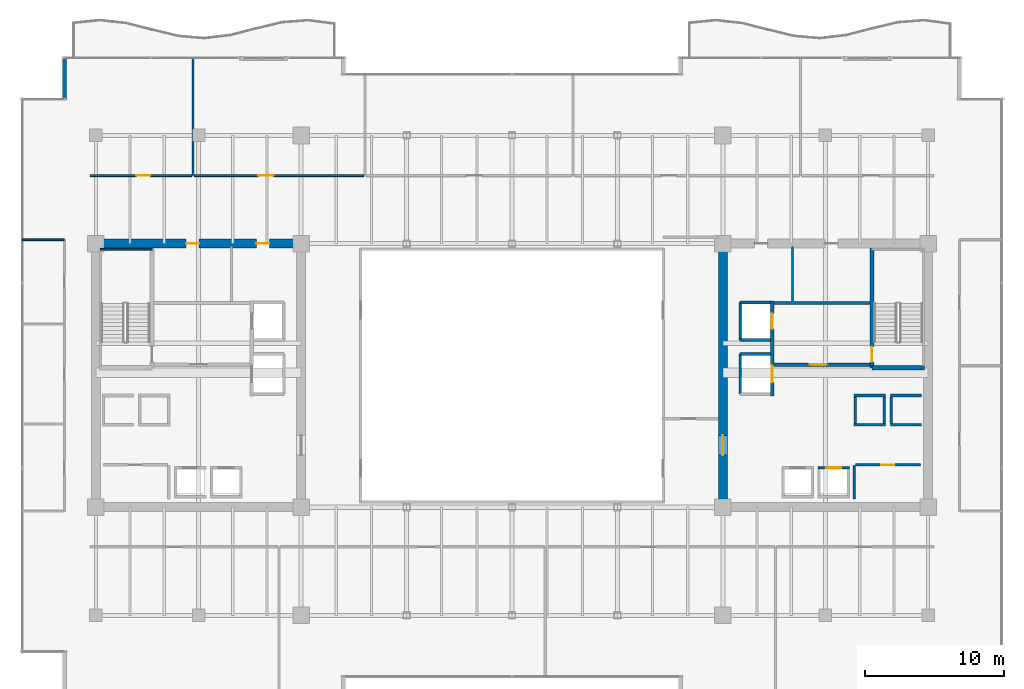
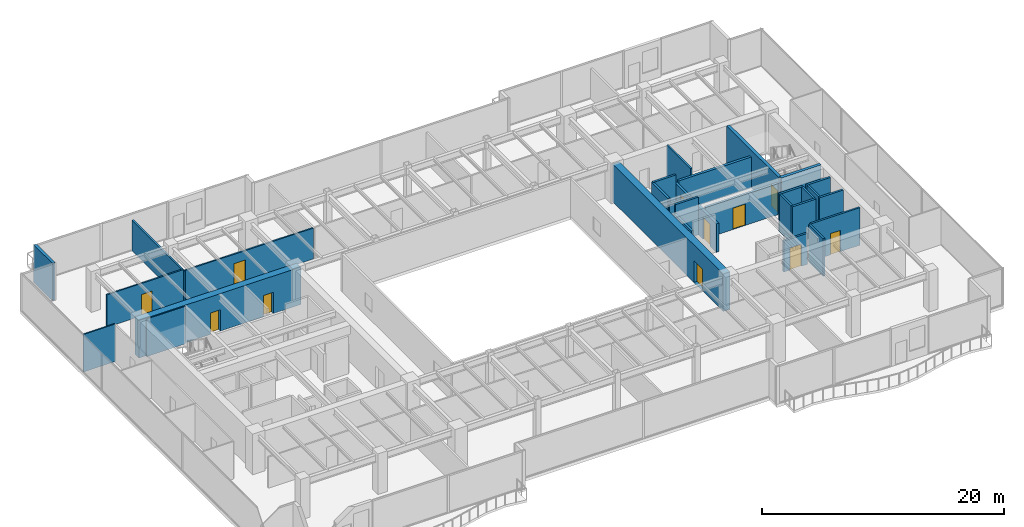
# One storey, part 25 of 30: 29 walls, 11 doors, 11 openings.
"""IFC4 building model written with IfcOpenShell, lengths in metres."""

from ifc_helpers import new_model, si_unit, direction, frame, frame_2d, origin, place, context, subcontext, project, spatial, rectangle, extrude, source, transform, mapped, material, layer, layer_set, type_object, type_shapes, element, fill, save


model = new_model("IFC4")

# Units and contexts
model_context = context("Model", 3, precision=1e-05, world=origin(), true_north=direction((0.0, 1.0)))
body_context = subcontext(model_context, "Body", "Model", "MODEL_VIEW")
ifc_project = project(units=[si_unit("LENGTHUNIT", "METRE"), si_unit("AREAUNIT", "SQUARE_METRE"), si_unit("VOLUMEUNIT", "CUBIC_METRE"), si_unit("PLANEANGLEUNIT", "RADIAN"), si_unit("MASSUNIT", "GRAM", prefix="KILO")], contexts=[model_context])

# Site, building, storey
site_placement = place(None, origin())
site = spatial("IfcSite", under=ifc_project, at=site_placement, CompositionType="ELEMENT")
building_placement = place(site_placement, origin())
building = spatial("IfcBuilding", under=site, at=building_placement, Name="Haelvirn Gate Laboratories", CompositionType="ELEMENT")
storey_placement = place(building_placement, frame((0.0, 0.0, 113.300048828125)))
storey = spatial("IfcBuildingStorey", under=building, at=storey_placement, Name="L27", CompositionType="ELEMENT", Elevation=113.300048828125)

# Walls
ifc_material_1 = material(Name="Thermally-broken bronze aluminium rainscreen & mineral wool", Category="aluminium")
ifc_layer_1 = layer(ifc_material_1, 0.280029296875, Name="EW-TERR-280")
ifc_layer_set_1 = layer_set([ifc_layer_1], Name="Thermally-broken bronze aluminium rainscreen & mineral wool")
wall_type_1 = type_object("IfcWallType", Name="EW-TERR-280", PredefinedType="STANDARD", material=ifc_layer_set_1)
wall_1_placement = place(storey_placement, frame((5.139892578125, 47.300048828125, 0.0), z_axis=(0.0, 0.0, 1.0), x_axis=(0.0, -1.0, 0.0)))
element("IfcWall", 1, at=wall_1_placement, inside=storey, type_object=wall_type_1, Name="L27 Atrium Recess Bronze Return Wall 15", PredefinedType="STANDARD", context=body_context, shape_type="SweptSolid", body=[
    extrude(rectangle(XDim=3.088134765625, YDim=0.280029296875, at=frame_2d((1.5439453125, 0.0))), origin(), (0.0, 0.0, 1.0), 3.7900390625),
])
ifc_material_2 = material(Name="Double-layer acoustic gypsum laboratory partition", Category="gypsum")
ifc_layer_2 = layer(ifc_material_2, 0.159912109375, Name="IW-ACOUST-160")
ifc_layer_set_2 = layer_set([ifc_layer_2], Name="Double-layer acoustic gypsum laboratory partition")
wall_type_2 = type_object("IfcWallType", Name="IW-ACOUST-160", PredefinedType="PARTITIONING", material=ifc_layer_set_2)
wall_2_placement = place(storey_placement, frame((14.39990234375, 38.705078125, 0.0), z_axis=(0.0, 0.0, 1.0), x_axis=(0.0, 1.0, 0.0)))
element("IfcWall", 2, at=wall_2_placement, inside=storey, type_object=wall_type_2, Name="L27 Interior Wall IW-L27-NDIV-01", PredefinedType="PARTITIONING", context=body_context, shape_type="SweptSolid", body=[
    extrude(rectangle(XDim=8.48486328125, YDim=0.159912109375, at=frame_2d((4.242431640625, 0.0))), origin(), (0.0, 0.0, 1.0), 3.074951171875),
])
ifc_material_3 = material(Name="Lightweight acoustic gypsum board partition", Category="gypsum")
ifc_layer_3 = layer(ifc_material_3, 0.1201171875, Name="IW-PART-120")
ifc_layer_set_3 = layer_set([ifc_layer_3], Name="Lightweight acoustic gypsum board partition")
wall_type_3 = type_object("IfcWallType", Name="IW-PART-120", PredefinedType="PARTITIONING", material=ifc_layer_set_3)
wall_3_placement = place(storey_placement, frame((2.110107421875, 34.0849609375, 0.0), z_axis=(0.0, 0.0, 1.0), x_axis=(1.0, 0.0, 0.0)))
element("IfcWall", 3, at=wall_3_placement, inside=storey, type_object=wall_type_3, Name="L27 Interior Wall IW-L27-WCAP-N", PredefinedType="PARTITIONING", context=body_context, shape_type="SweptSolid", body=[
    extrude(rectangle(XDim=3.019775390625, YDim=0.1201171875, at=frame_2d((1.509765625, 0.0))), origin(), (0.0, 0.0, 1.0), 3.7900390625),
])

# Wall, opening, door
ifc_material_4 = material(Name="Acoustic mineral-wool gypsum board partition", Category="gypsum")
ifc_layer_4 = layer(ifc_material_4, 0.139892578125, Name="IW-PART-140")
ifc_layer_set_4 = layer_set([ifc_layer_4], Name="Acoustic mineral-wool gypsum board partition")
wall_type_4 = type_object("IfcWallType", Name="IW-PART-140", PredefinedType="PARTITIONING", material=ifc_layer_set_4)
wall_4_placement = place(storey_placement, frame((6.97998046875, 38.705078125, 0.0), z_axis=(0.0, 0.0, 1.0), x_axis=(1.0, 0.0, 0.0)))
wall_4 = element("IfcWall", 4, at=wall_4_placement, inside=storey, type_object=wall_type_4, Name="L27 Interior Wall IW-L27-NCORR-01", PredefinedType="PARTITIONING", context=body_context, shape_type="SweptSolid", body=[
    extrude(rectangle(XDim=7.340087890625, YDim=0.139892578125, at=frame_2d((3.669921875, 0.0))), origin(), (0.0, 0.0, 1.0), 3.27490234375),
])
opening_1_placement = place(wall_4_placement, frame((3.339111328125, 0.0, 0.0)))
opening_1 = element("IfcOpeningElement", 5, at=opening_1_placement, cuts=wall_4, Name="Opening D2", PredefinedType="OPENING", context=body_context, shape_type="SweptSolid", body=[
    extrude(rectangle(XDim=1.0, YDim=2.14990234375, at=frame_2d((0.5, 1.074951171875))), frame((0.0, 0.080078125, 0.0), z_axis=(0.0, -1.0, 0.0), x_axis=(1.0, 0.0, 0.0)), (0.0, 0.0, 1.0), 0.159912109375),
])
ifc_material_5 = material(Name="Acoustic solid-core timber suite door", Category="wood")
door_type_1 = type_object("IfcDoorType", Name="DR-INT-1000", OperationType="NOTDEFINED", PredefinedType="DOOR", material=ifc_material_5)
shared_shape_1 = source(origin(), body_context, "Body", "SweptSolid", [
    extrude(rectangle(XDim=1.0, YDim=2.14990234375, at=frame_2d((0.5, 1.074951171875))), frame((0.0, 0.02490234375, 0.0), z_axis=(0.0, -1.0, 0.0), x_axis=(1.0, 0.0, 0.0)), (0.0, 0.0, 1.0), 0.050048828125),
])
type_shapes(door_type_1, [shared_shape_1])
door_1_placement = place(opening_1_placement, origin())
door_1 = element("IfcDoor", 6, at=door_1_placement, inside=storey, type_object=door_type_1, Name="L27 Occupational Biosafety Clinic Door N1", OperationType="SINGLE_SWING_LEFT", OverallHeight=2.14990234375, OverallWidth=1.0, PredefinedType="DOOR", context=body_context, shape_type="MappedRepresentation", body=[
    mapped(shared_shape_1, transform((0.0, 0.0, 0.0), scale=1.0)),
])
fill(opening_1, door_1)

wall_5_placement = place(storey_placement, frame((14.47998046875, 38.705078125, 0.0), z_axis=(0.0, 0.0, 1.0), x_axis=(1.0, 0.0, 0.0)))
wall_5 = element("IfcWall", 7, at=wall_5_placement, inside=storey, type_object=wall_type_4, Name="L27 Interior Wall IW-L27-NCORR-02", PredefinedType="PARTITIONING", context=body_context, shape_type="SweptSolid", body=[
    extrude(rectangle(XDim=12.239990234375, YDim=0.139892578125, at=frame_2d((6.1201171875, 0.0))), origin(), (0.0, 0.0, 1.0), 3.125),
])
opening_2_placement = place(wall_5_placement, frame((4.63037109375, 0.0, 0.0)))
opening_2 = element("IfcOpeningElement", 8, at=opening_2_placement, cuts=wall_5, Name="Opening D1", PredefinedType="OPENING", context=body_context, shape_type="SweptSolid", body=[
    extrude(rectangle(XDim=1.10009765625, YDim=2.179931640625, at=frame_2d((0.550048828125, 1.08984375))), frame((0.0, 0.080078125, 0.0), z_axis=(0.0, -1.0, 0.0), x_axis=(1.0, 0.0, 0.0)), (0.0, 0.0, 1.0), 0.159912109375),
])
ifc_material_6 = material(Name="Vision-panel acoustic solid-core timber lab door", Category="wood")
door_type_2 = type_object("IfcDoorType", Name="DR-LAB-1100", OperationType="NOTDEFINED", PredefinedType="DOOR", material=ifc_material_6)
shared_shape_2 = source(origin(), body_context, "Body", "SweptSolid", [
    extrude(rectangle(XDim=1.10009765625, YDim=2.179931640625, at=frame_2d((0.550048828125, 1.08984375))), frame((0.0, 0.02490234375, 0.0), z_axis=(0.0, -1.0, 0.0), x_axis=(1.0, 0.0, 0.0)), (0.0, 0.0, 1.0), 0.050048828125),
])
type_shapes(door_type_2, [shared_shape_2])
door_2_placement = place(opening_2_placement, origin())
door_2 = element("IfcDoor", 9, at=door_2_placement, inside=storey, type_object=door_type_2, Name="L27 Laser-Safety Consult Room Door N2", OperationType="SINGLE_SWING_RIGHT", OverallHeight=2.179931640625, OverallWidth=1.10009765625, PredefinedType="DOOR", context=body_context, shape_type="MappedRepresentation", body=[
    mapped(shared_shape_2, transform((0.0, 0.0, 0.0), scale=1.0)),
])
fill(opening_2, door_2)

# Walls
ifc_material_7 = material(Name="Cement-board restroom plumbing chase wall", Category="gypsum")
ifc_layer_5 = layer(ifc_material_7, 0.155029296875, Name="IW-PLUMB-160")
ifc_layer_set_5 = layer_set([ifc_layer_5], Name="Cement-board restroom plumbing chase wall")
wall_type_5 = type_object("IfcWallType", Name="IW-PLUMB-160", PredefinedType="PLUMBINGWALL", material=ifc_layer_set_5)
wall_6_placement = place(storey_placement, frame((57.610107421875, 29.64990234375, 0.0), z_axis=(0.0, 0.0, 1.0), x_axis=(0.0, 1.0, 0.0)))
element("IfcWall", 10, at=wall_6_placement, inside=storey, type_object=wall_type_5, Name="L27 Interior Wall IW-L27-E-CDIV-1", PredefinedType="PLUMBINGWALL", context=body_context, shape_type="SweptSolid", body=[
    extrude(rectangle(XDim=3.93017578125, YDim=0.155029296875, at=frame_2d((1.965087890625, 0.0))), origin(), (0.0, 0.0, 1.0), 3.7900390625),
])
ifc_material_8 = material(Name="Concrete C40/50", Category="concrete")
ifc_layer_6 = layer(ifc_material_8, 0.179931640625, Name="IW-SHAFT-180")
ifc_layer_set_6 = layer_set([ifc_layer_6], Name="Concrete C40/50")
wall_type_6 = type_object("IfcWallType", Name="IW-SHAFT-180", PredefinedType="SOLIDWALL", material=ifc_layer_set_6)
for number, where, z_axis, x_axis, name in (
    (11, (64.75, 20.85009765625, 0.0), (0.0, 0.0, 1.0), (0.0, 1.0, 0.0), "L27 Interior Wall IW-L27-PL11-SD"),
    (12, (62.14990234375, 20.85009765625, 0.0), (0.0, 0.0, 1.0), (0.0, 1.0, 0.0), "L27 Interior Wall IW-L27-PL12-SD"),
    (13, (64.25, 20.85009765625, 0.0), (0.0, 0.0, 1.0), (0.0, 1.0, 0.0), "L27 Interior Wall IW-L27-PL12-SDE"),
):
    element("IfcWall", number, at=place(storey_placement, frame(where, z_axis=z_axis, x_axis=x_axis)), inside=storey, type_object=wall_type_6, Name=name, PredefinedType="SOLIDWALL", context=body_context, shape_type="SweptSolid", body=[
        extrude(rectangle(XDim=1.89990234375, YDim=0.179931640625, at=frame_2d((0.949951171875, 0.0))), origin(), (0.0, 0.0, 1.0), 3.7900390625),
    ])

# Wall, opening, door
wall_7_placement = place(storey_placement, frame((62.14990234375, 17.85009765625, 0.0), z_axis=(0.0, 0.0, 1.0), x_axis=(1.0, 0.0, 0.0)))
wall_7 = element("IfcWall", 14, at=wall_7_placement, inside=storey, type_object=wall_type_6, Name="L27 Interior Wall IW-L27-E-FREED-LN-1", PredefinedType="SOLIDWALL", context=body_context, shape_type="SweptSolid", body=[
    extrude(rectangle(XDim=4.7001953125, YDim=0.179931640625, at=frame_2d((2.35009765625, 0.0))), origin(), (0.0, 0.0, 1.0), 3.7900390625),
])
opening_3_placement = place(wall_7_placement, frame((1.875, 0.0, 0.0)))
opening_3 = element("IfcOpeningElement", 15, at=opening_3_placement, cuts=wall_7, Name="Opening FD4", PredefinedType="OPENING", context=body_context, shape_type="SweptSolid", body=[
    extrude(rectangle(XDim=0.949951171875, YDim=2.14990234375, at=frame_2d((0.47509765625, 1.074951171875))), frame((0.0, 0.10009765625, 0.0), z_axis=(0.0, -1.0, 0.0), x_axis=(1.0, 0.0, 0.0)), (0.0, 0.0, 1.0), 0.199951171875),
])
ifc_material_9 = material(Name="Fire-rated steel SM355 core service door", Category="steel")
door_type_3 = type_object("IfcDoorType", Name="DR-FD-950", OperationType="NOTDEFINED", PredefinedType="DOOR", material=ifc_material_9)
shared_shape_3 = source(origin(), body_context, "Body", "SweptSolid", [
    extrude(rectangle(XDim=0.949951171875, YDim=2.14990234375, at=frame_2d((0.47509765625, 1.074951171875))), frame((0.0, 0.02490234375, 0.0), z_axis=(0.0, -1.0, 0.0), x_axis=(1.0, 0.0, 0.0)), (0.0, 0.0, 1.0), 0.050048828125),
])
type_shapes(door_type_3, [shared_shape_3])
door_3_placement = place(opening_3_placement, origin())
door_3 = element("IfcDoor", 16, at=door_3_placement, inside=storey, type_object=door_type_3, Name="L27 Cryogenic Specimen Biobank Door", OperationType="SINGLE_SWING_LEFT", OverallHeight=2.14990234375, OverallWidth=0.949951171875, PredefinedType="DOOR", context=body_context, shape_type="MappedRepresentation", body=[
    mapped(shared_shape_3, transform((0.0, 0.0, 0.0), scale=1.0)),
])
fill(opening_3, door_3)

# Wall
wall_8_placement = place(storey_placement, frame((62.06005859375, 15.39990234375, 0.0), z_axis=(0.0, 0.0, 1.0), x_axis=(0.0, 1.0, 0.0)))
element("IfcWall", 17, at=wall_8_placement, inside=storey, type_object=wall_type_6, Name="L27 Interior Wall IW-L27-E-FREED-LE-1", PredefinedType="SOLIDWALL", context=body_context, shape_type="SweptSolid", body=[
    extrude(rectangle(XDim=2.400146484375, YDim=0.179931640625, at=frame_2d((1.2001953125, 0.0))), origin(), (0.0, 0.0, 1.0), 3.7900390625),
])

# Wall, opening, door
ifc_layer_7 = layer(ifc_material_8, 0.199951171875, Name="IW-SHAFT-200")
ifc_layer_set_7 = layer_set([ifc_layer_7], Name="Concrete C40/50")
wall_type_7 = type_object("IfcWallType", Name="IW-SHAFT-200", PredefinedType="SOLIDWALL", material=ifc_layer_set_7)
wall_9_placement = place(storey_placement, frame((59.469970703125, 17.64990234375, 0.0), z_axis=(0.0, 0.0, 1.0), x_axis=(1.0, 0.0, 0.0)))
wall_9 = element("IfcWall", 18, at=wall_9_placement, inside=storey, type_object=wall_type_7, Name="L27 Interior Wall IW-L27-PL7-FR", PredefinedType="SOLIDWALL", context=body_context, shape_type="SweptSolid", body=[
    extrude(rectangle(XDim=2.260009765625, YDim=0.199951171875, at=frame_2d((1.1298828125, 0.0))), origin(), (0.0, 0.0, 1.0), 3.125),
])
opening_4_placement = place(wall_9_placement, frame((0.580078125, 0.0, 0.0)))
opening_4 = element("IfcOpeningElement", 19, at=opening_4_placement, cuts=wall_9, Name="Opening LD2", PredefinedType="OPENING", context=body_context, shape_type="SweptSolid", body=[
    extrude(rectangle(XDim=1.10009765625, YDim=2.219970703125, at=frame_2d((0.550048828125, 1.10986328125))), frame((0.0, 0.10986328125, 0.0), z_axis=(0.0, -1.0, 0.0), x_axis=(1.0, 0.0, 0.0)), (0.0, 0.0, 1.0), 0.219970703125),
])
ifc_material_10 = material(Name="Bronze stainless 316L sliding lift landing door")
door_type_4 = type_object("IfcDoorType", Name="DR-LD-1100", OperationType="NOTDEFINED", PredefinedType="USERDEFINED", material=ifc_material_10)
shared_shape_4 = source(origin(), body_context, "Body", "SweptSolid", [
    extrude(rectangle(XDim=1.10009765625, YDim=2.219970703125, at=frame_2d((0.550048828125, 1.10986328125))), frame((0.0, 0.02490234375, 0.0), z_axis=(0.0, -1.0, 0.0), x_axis=(1.0, 0.0, 0.0)), (0.0, 0.0, 1.0), 0.050048828125),
])
type_shapes(door_type_4, [shared_shape_4])
door_4_placement = place(opening_4_placement, origin())
door_4 = element("IfcDoor", 20, at=door_4_placement, inside=storey, type_object=door_type_4, Name="L27 Passenger Lift PL7 Landing Door", ObjectType="LANDING_DOOR", OperationType="SLIDING_TO_LEFT", OverallHeight=2.219970703125, OverallWidth=1.10009765625, PredefinedType="USERDEFINED", context=body_context, shape_type="MappedRepresentation", body=[
    mapped(shared_shape_4, transform((0.0, 0.0, 0.0), scale=1.0)),
])
fill(opening_4, door_4)

# Walls
for number, where, z_axis, x_axis, name in (
    (21, (64.669921875, 20.75, 0.0), (0.0, 0.0, 1.0), (1.0, 0.0, 0.0), "L27 Interior Wall IW-L27-PL11-FR"),
    (22, (64.669921875, 22.85009765625, 0.0), (0.0, 0.0, 1.0), (1.0, 0.0, 0.0), "L27 Interior Wall IW-L27-PL11-BK"),
    (23, (62.070068359375, 20.75, 0.0), (0.0, 0.0, 1.0), (1.0, 0.0, 0.0), "L27 Interior Wall IW-L27-PL12-FR"),
    (24, (62.070068359375, 22.85009765625, 0.0), (0.0, 0.0, 1.0), (1.0, 0.0, 0.0), "L27 Interior Wall IW-L27-PL12-BK"),
):
    element("IfcWall", number, at=place(storey_placement, frame(where, z_axis=z_axis, x_axis=x_axis)), inside=storey, type_object=wall_type_7, Name=name, PredefinedType="SOLIDWALL", context=body_context, shape_type="SweptSolid", body=[
        extrude(rectangle(XDim=2.260009765625, YDim=0.199951171875, at=frame_2d((1.1298828125, 0.0))), origin(), (0.0, 0.0, 1.0), 3.7900390625),
    ])
wall_10_placement = place(storey_placement, frame((53.85009765625, 26.85009765625, 0.0), z_axis=(0.0, 0.0, 1.0), x_axis=(0.0, 1.0, 0.0)))
element("IfcWall", 25, at=wall_10_placement, inside=storey, type_object=wall_type_7, Name="L27 Interior Wall IW-L27-FL2-BK", PredefinedType="SOLIDWALL", context=body_context, shape_type="SweptSolid", body=[
    extrude(rectangle(XDim=2.699951171875, YDim=0.199951171875, at=frame_2d((1.35009765625, 0.0))), origin(), (0.0, 0.0, 1.0), 3.7900390625),
])
wall_11_placement = place(storey_placement, frame((53.85009765625, 29.550048828125, 0.0), z_axis=(0.0, 0.0, 1.0), x_axis=(1.0, 0.0, 0.0)))
element("IfcWall", 26, at=wall_11_placement, inside=storey, type_object=wall_type_7, Name="L27 Interior Wall IW-L27-FL2-N", PredefinedType="SOLIDWALL", context=body_context, shape_type="SweptSolid", body=[
    extrude(rectangle(XDim=2.18994140625, YDim=0.199951171875, at=frame_2d((1.094970703125, 0.0))), origin(), (0.0, 0.0, 1.0), 3.7900390625),
])
wall_12_placement = place(storey_placement, frame((53.85009765625, 26.85009765625, 0.0), z_axis=(0.0, 0.0, 1.0), x_axis=(1.0, 0.0, 0.0)))
element("IfcWall", 27, at=wall_12_placement, inside=storey, type_object=wall_type_7, Name="L27 Interior Wall IW-L27-FL2-S", PredefinedType="SOLIDWALL", context=body_context, shape_type="SweptSolid", body=[
    extrude(rectangle(XDim=2.18994140625, YDim=0.199951171875, at=frame_2d((1.094970703125, 0.0))), origin(), (0.0, 0.0, 1.0), 3.18701171875),
])
wall_13_placement = place(storey_placement, frame((53.85009765625, 22.949951171875, 0.0), z_axis=(0.0, 0.0, 1.0), x_axis=(0.0, 1.0, 0.0)))
element("IfcWall", 28, at=wall_13_placement, inside=storey, type_object=wall_type_7, Name="L27 Interior Wall IW-L27-SL2-BK", PredefinedType="SOLIDWALL", context=body_context, shape_type="SweptSolid", body=[
    extrude(rectangle(XDim=2.900146484375, YDim=0.199951171875, at=frame_2d((1.4501953125, 0.0))), origin(), (0.0, 0.0, 1.0), 2.875),
])
wall_14_placement = place(storey_placement, frame((53.85009765625, 25.85009765625, 0.0), z_axis=(0.0, 0.0, 1.0), x_axis=(1.0, 0.0, 0.0)))
element("IfcWall", 29, at=wall_14_placement, inside=storey, type_object=wall_type_7, Name="L27 Interior Wall IW-L27-SL2-N", PredefinedType="SOLIDWALL", context=body_context, shape_type="SweptSolid", body=[
    extrude(rectangle(XDim=2.18994140625, YDim=0.199951171875, at=frame_2d((1.094970703125, 0.0))), origin(), (0.0, 0.0, 1.0), 3.7900390625),
])

# Wall, opening, door
ifc_layer_8 = layer(ifc_material_8, 0.239990234375, Name="IW-SHAFT-240")
ifc_layer_set_8 = layer_set([ifc_layer_8], Name="Concrete C40/50")
wall_type_8 = type_object("IfcWallType", Name="IW-SHAFT-240", PredefinedType="SOLIDWALL", material=ifc_layer_set_8)
wall_15_placement = place(storey_placement, frame((56.280029296875, 25.080078125, 0.0), z_axis=(0.0, 0.0, 1.0), x_axis=(1.0, 0.0, 0.0)))
wall_15 = element("IfcWall", 30, at=wall_15_placement, inside=storey, type_object=wall_type_8, Name="L27 Interior Wall IW-L27-E-FF-S", PredefinedType="SOLIDWALL", context=body_context, shape_type="SweptSolid", body=[
    extrude(rectangle(XDim=6.919921875, YDim=0.239990234375, at=frame_2d((3.4599609375, 0.0))), origin(), (0.0, 0.0, 1.0), 3.125),
])
opening_5_placement = place(wall_15_placement, frame((2.60009765625, 0.0, 0.0)))
opening_5 = element("IfcOpeningElement", 31, at=opening_5_placement, cuts=wall_15, Name="Opening FD2", PredefinedType="OPENING", context=body_context, shape_type="SweptSolid", body=[
    extrude(rectangle(XDim=1.199951171875, YDim=2.159912109375, at=frame_2d((0.60009765625, 1.080078125))), frame((0.0, 0.1298828125, 0.0), z_axis=(0.0, -1.0, 0.0), x_axis=(1.0, 0.0, 0.0)), (0.0, 0.0, 1.0), 0.260009765625),
])
ifc_material_11 = material(Name="Fire-rated steel SM355 compartment door", Category="steel")
door_type_5 = type_object("IfcDoorType", Name="DR-FD-1200", OperationType="NOTDEFINED", PredefinedType="DOOR", material=ifc_material_11)
shared_shape_5 = source(origin(), body_context, "Body", "SweptSolid", [
    extrude(rectangle(XDim=1.199951171875, YDim=2.159912109375, at=frame_2d((0.60009765625, 1.080078125))), frame((0.0, 0.02490234375, 0.0), z_axis=(0.0, -1.0, 0.0), x_axis=(1.0, 0.0, 0.0)), (0.0, 0.0, 1.0), 0.050048828125),
])
type_shapes(door_type_5, [shared_shape_5])
door_5_placement = place(opening_5_placement, origin())
door_5 = element("IfcDoor", 32, at=door_5_placement, inside=storey, type_object=door_type_5, Name="L27 East Firefighting Lobby Door", OperationType="SINGLE_SWING_LEFT", OverallHeight=2.159912109375, OverallWidth=1.199951171875, PredefinedType="DOOR", context=body_context, shape_type="MappedRepresentation", body=[
    mapped(shared_shape_5, transform((0.0, 0.0, 0.0), scale=1.0)),
])
fill(opening_5, door_5)

# Wall
wall_16_placement = place(storey_placement, frame((56.280029296875, 29.52001953125, 0.0), z_axis=(0.0, 0.0, 1.0), x_axis=(1.0, 0.0, 0.0)))
element("IfcWall", 33, at=wall_16_placement, inside=storey, type_object=wall_type_8, Name="L27 Interior Wall IW-L27-E-FF-N", PredefinedType="SOLIDWALL", context=body_context, shape_type="SweptSolid", body=[
    extrude(rectangle(XDim=6.919921875, YDim=0.239990234375, at=frame_2d((3.4599609375, 0.0))), origin(), (0.0, 0.0, 1.0), 3.125),
])

# Wall, openings, doors
wall_17_placement = place(storey_placement, frame((56.159912109375, 22.800048828125, 0.0), z_axis=(0.0, 0.0, 1.0), x_axis=(0.0, 1.0, 0.0)))
wall_17 = element("IfcWall", 34, at=wall_17_placement, inside=storey, type_object=wall_type_8, Name="L27 Interior Wall IW-L27-E-FF-E", PredefinedType="SOLIDWALL", context=body_context, shape_type="SweptSolid", body=[
    extrude(rectangle(XDim=6.849853515625, YDim=0.239990234375, at=frame_2d((3.4248046875, 0.0))), origin(), (0.0, 0.0, 1.0), 2.875),
])
opening_6_placement = place(wall_17_placement, frame((4.85009765625, 0.0, 0.0)))
opening_6 = element("IfcOpeningElement", 35, at=opening_6_placement, cuts=wall_17, Name="Opening LD2", PredefinedType="OPENING", context=body_context, shape_type="SweptSolid", body=[
    extrude(rectangle(XDim=1.10009765625, YDim=2.219970703125, at=frame_2d((0.550048828125, 1.10986328125))), frame((0.0, 0.1298828125, 0.0), z_axis=(0.0, -1.0, 0.0), x_axis=(1.0, 0.0, 0.0)), (0.0, 0.0, 1.0), 0.260009765625),
])
opening_7_placement = place(wall_17_placement, frame((1.0, 0.0, 0.0)))
opening_7 = element("IfcOpeningElement", 36, at=opening_7_placement, cuts=wall_17, Name="Opening LD1", PredefinedType="OPENING", context=body_context, shape_type="SweptSolid", body=[
    extrude(rectangle(XDim=1.199951171875, YDim=2.219970703125, at=frame_2d((0.60009765625, 1.10986328125))), frame((0.0, 0.1298828125, 0.0), z_axis=(0.0, -1.0, 0.0), x_axis=(1.0, 0.0, 0.0)), (0.0, 0.0, 1.0), 0.260009765625),
])
door_6_placement = place(opening_6_placement, origin())
door_6 = element("IfcDoor", 37, at=door_6_placement, inside=storey, type_object=door_type_4, Name="L27 Firefighting Lift FL2 Landing Door", ObjectType="LANDING_DOOR", OperationType="SLIDING_TO_RIGHT", OverallHeight=2.219970703125, OverallWidth=1.10009765625, PredefinedType="USERDEFINED", context=body_context, shape_type="MappedRepresentation", body=[
    mapped(shared_shape_4, transform((0.0, 0.0, 0.0), scale=1.0)),
])
fill(opening_6, door_6)
ifc_material_12 = material(Name="Stainless steel 316L sliding goods landing door", Category="steel")
door_type_6 = type_object("IfcDoorType", Name="DR-LD-1200", OperationType="NOTDEFINED", PredefinedType="USERDEFINED", material=ifc_material_12)
shared_shape_6 = source(origin(), body_context, "Body", "SweptSolid", [
    extrude(rectangle(XDim=1.199951171875, YDim=2.219970703125, at=frame_2d((0.60009765625, 1.10986328125))), frame((0.0, 0.02490234375, 0.0), z_axis=(0.0, -1.0, 0.0), x_axis=(1.0, 0.0, 0.0)), (0.0, 0.0, 1.0), 0.050048828125),
])
type_shapes(door_type_6, [shared_shape_6])
door_7_placement = place(opening_7_placement, origin())
door_7 = element("IfcDoor", 38, at=door_7_placement, inside=storey, type_object=door_type_6, Name="L27 Service Lift SL2 Landing Door", ObjectType="LANDING_DOOR", OperationType="SLIDING_TO_LEFT", OverallHeight=2.219970703125, OverallWidth=1.199951171875, PredefinedType="USERDEFINED", context=body_context, shape_type="MappedRepresentation", body=[
    mapped(shared_shape_6, transform((0.0, 0.0, 0.0), scale=1.0)),
])
fill(opening_7, door_7)

ifc_material_13 = material(Name="Concrete C60/75", Category="concrete")
ifc_layer_9 = layer(ifc_material_13, 0.64990234375, Name="SW-CORE-650")
ifc_layer_set_9 = layer_set([ifc_layer_9], Name="Concrete C60/75")
wall_type_9 = type_object("IfcWallType", Name="SW-CORE-650", PredefinedType="SHEAR", material=ifc_layer_set_9)
wall_18_placement = place(storey_placement, frame((7.074951171875, 33.800048828125, 0.0), z_axis=(0.0, 0.0, 1.0), x_axis=(1.0, 0.0, 0.0)))
wall_18 = element("IfcWall", 39, at=wall_18_placement, inside=storey, type_object=wall_type_9, Name="L27 W Core Shear Wall N", PredefinedType="SHEAR", context=body_context, shape_type="SweptSolid", body=[
    extrude(rectangle(XDim=15.449951171875, YDim=0.64990234375, at=frame_2d((7.72509765625, 0.0))), origin(), (0.0, 0.0, 1.0), 3.7900390625),
])
opening_8_placement = place(wall_18_placement, frame((6.824951171875, 0.0, 0.0)))
opening_8 = element("IfcOpeningElement", 40, at=opening_8_placement, cuts=wall_18, Name="Opening FD4", PredefinedType="OPENING", context=body_context, shape_type="SweptSolid", body=[
    extrude(rectangle(XDim=0.949951171875, YDim=2.14990234375, at=frame_2d((0.47509765625, 1.074951171875))), frame((0.0, 0.3349609375, 0.0), z_axis=(0.0, -1.0, 0.0), x_axis=(1.0, 0.0, 0.0)), (0.0, 0.0, 1.0), 0.669921875),
])
opening_9_placement = place(wall_18_placement, frame((11.889892578125, 0.0, 0.0)))
opening_9 = element("IfcOpeningElement", 41, at=opening_9_placement, cuts=wall_18, Name="Opening FD4", PredefinedType="OPENING", context=body_context, shape_type="SweptSolid", body=[
    extrude(rectangle(XDim=0.949951171875, YDim=2.14990234375, at=frame_2d((0.47509765625, 1.074951171875))), frame((0.0, 0.3349609375, 0.0), z_axis=(0.0, -1.0, 0.0), x_axis=(1.0, 0.0, 0.0)), (0.0, 0.0, 1.0), 0.669921875),
])
door_8_placement = place(opening_8_placement, origin())
door_8 = element("IfcDoor", 42, at=door_8_placement, inside=storey, type_object=door_type_3, Name="L27 All-Gender Multi-Stall Restroom Fire Door", OperationType="SINGLE_SWING_RIGHT", OverallHeight=2.14990234375, OverallWidth=0.949951171875, PredefinedType="DOOR", context=body_context, shape_type="MappedRepresentation", body=[
    mapped(shared_shape_3, transform((0.0, 0.0, 0.0), scale=1.0)),
])
fill(opening_8, door_8)
door_9_placement = place(opening_9_placement, origin())
door_9 = element("IfcDoor", 43, at=door_9_placement, inside=storey, type_object=door_type_3, Name="L27 Accessible Restroom Fire Door", OperationType="SINGLE_SWING_LEFT", OverallHeight=2.14990234375, OverallWidth=0.949951171875, PredefinedType="DOOR", context=body_context, shape_type="MappedRepresentation", body=[
    mapped(shared_shape_3, transform((0.0, 0.0, 0.0), scale=1.0)),
])
fill(opening_9, door_9)

# Wall, opening, door
wall_19_placement = place(storey_placement, frame((52.60009765625, 15.125, 0.0), z_axis=(0.0, 0.0, 1.0), x_axis=(0.0, 1.0, 0.0)))
wall_19 = element("IfcWall", 44, at=wall_19_placement, inside=storey, type_object=wall_type_9, Name="L27 E Core Shear Wall W", PredefinedType="SHEAR", context=body_context, shape_type="SweptSolid", body=[
    extrude(rectangle(XDim=18.35009765625, YDim=0.64990234375, at=frame_2d((9.175048828125, 0.0))), origin(), (0.0, 0.0, 1.0), 3.7900390625),
])
opening_10_placement = place(wall_19_placement, frame((3.425048828125, 0.0, 0.0)))
opening_10 = element("IfcOpeningElement", 45, at=opening_10_placement, cuts=wall_19, Name="Opening FD1", PredefinedType="OPENING", context=body_context, shape_type="SweptSolid", body=[
    extrude(rectangle(XDim=1.419921875, YDim=2.199951171875, at=frame_2d((0.7099609375, 1.10009765625))), frame((0.0, 0.3349609375, 0.0), z_axis=(0.0, -1.0, 0.0), x_axis=(1.0, 0.0, 0.0)), (0.0, 0.0, 1.0), 0.669921875),
])
ifc_material_14 = material(Name="Fire-rated double steel SM355 lobby door", Category="steel")
door_type_7 = type_object("IfcDoorType", Name="DR-FD-1400", OperationType="NOTDEFINED", PredefinedType="DOOR", material=ifc_material_14)
shared_shape_7 = source(origin(), body_context, "Body", "SweptSolid", [
    extrude(rectangle(XDim=1.419921875, YDim=2.199951171875, at=frame_2d((0.7099609375, 1.10009765625))), frame((0.0, 0.02490234375, 0.0), z_axis=(0.0, -1.0, 0.0), x_axis=(1.0, 0.0, 0.0)), (0.0, 0.0, 1.0), 0.050048828125),
])
type_shapes(door_type_7, [shared_shape_7])
door_10_placement = place(opening_10_placement, origin())
door_10 = element("IfcDoor", 46, at=door_10_placement, inside=storey, type_object=door_type_7, Name="L27 East Core Lift Lobby Fire Door", OperationType="DOUBLE_DOOR_SINGLE_SWING", OverallHeight=2.199951171875, OverallWidth=1.419921875, PredefinedType="DOOR", context=body_context, shape_type="MappedRepresentation", body=[
    mapped(shared_shape_7, transform((0.0, 0.0, 0.0), scale=1.0)),
])
fill(opening_10, door_10)

# Wall
ifc_material_15 = material(Name="Concrete C50/60", Category="concrete")
ifc_layer_10 = layer(ifc_material_15, 0.1201171875, Name="SW-LINER-120")
ifc_layer_set_10 = layer_set([ifc_layer_10], Name="Concrete C50/60")
wall_type_10 = type_object("IfcWallType", Name="SW-LINER-120", PredefinedType="SOLIDWALL", material=ifc_layer_set_10)
wall_20_placement = place(storey_placement, frame((7.72998046875, 33.39990234375, 0.0), z_axis=(0.0, 0.0, 1.0), x_axis=(1.0, 0.0, 0.0)))
element("IfcWall", 47, at=wall_20_placement, inside=storey, type_object=wall_type_10, Name="L27 W Core Stair Shaft Liner Wall N", PredefinedType="SOLIDWALL", context=body_context, shape_type="SweptSolid", body=[
    extrude(rectangle(XDim=3.719970703125, YDim=0.1201171875, at=frame_2d((1.85986328125, 0.0))), origin(), (0.0, 0.0, 1.0), 3.7900390625),
])

# Wall, opening, door
ifc_layer_11 = layer(ifc_material_15, 0.300048828125, Name="SW-STAIR-300")
ifc_layer_set_11 = layer_set([ifc_layer_11], Name="Concrete C50/60")
wall_type_11 = type_object("IfcWallType", Name="SW-STAIR-300", PredefinedType="SHEAR", material=ifc_layer_set_11)
wall_21_placement = place(storey_placement, frame((63.35009765625, 24.85009765625, 0.0), z_axis=(0.0, 0.0, 1.0), x_axis=(0.0, 1.0, 0.0)))
wall_21 = element("IfcWall", 48, at=wall_21_placement, inside=storey, type_object=wall_type_11, Name="L27 E Core Stair Shaft Structural Wall IN", PredefinedType="SHEAR", context=body_context, shape_type="SweptSolid", body=[
    extrude(rectangle(XDim=8.6298828125, YDim=0.300048828125, at=frame_2d((4.31494140625, 0.0))), origin(), (0.0, 0.0, 1.0), 3.7900390625),
])
opening_11_placement = place(wall_21_placement, frame((0.419921875, 0.0, 0.0)))
opening_11 = element("IfcOpeningElement", 49, at=opening_11_placement, cuts=wall_21, Name="Opening FD3", PredefinedType="OPENING", context=body_context, shape_type="SweptSolid", body=[
    extrude(rectangle(XDim=1.10009765625, YDim=2.14990234375, at=frame_2d((0.550048828125, 1.074951171875))), frame((0.0, 0.16015625, 0.0), z_axis=(0.0, -1.0, 0.0), x_axis=(1.0, 0.0, 0.0)), (0.0, 0.0, 1.0), 0.320068359375),
])
ifc_material_16 = material(Name="Fire-rated steel SM355 escape stair door", Category="steel")
door_type_8 = type_object("IfcDoorType", Name="DR-FD-1100", OperationType="NOTDEFINED", PredefinedType="DOOR", material=ifc_material_16)
shared_shape_8 = source(origin(), body_context, "Body", "SweptSolid", [
    extrude(rectangle(XDim=1.10009765625, YDim=2.14990234375, at=frame_2d((0.550048828125, 1.074951171875))), frame((0.0, 0.02490234375, 0.0), z_axis=(0.0, -1.0, 0.0), x_axis=(1.0, 0.0, 0.0)), (0.0, 0.0, 1.0), 0.050048828125),
])
type_shapes(door_type_8, [shared_shape_8])
door_11_placement = place(opening_11_placement, origin())
door_11 = element("IfcDoor", 50, at=door_11_placement, inside=storey, type_object=door_type_8, Name="L27 Escape Stair ST2 Fire Door", OperationType="SINGLE_SWING_RIGHT", OverallHeight=2.14990234375, OverallWidth=1.10009765625, PredefinedType="DOOR", context=body_context, shape_type="MappedRepresentation", body=[
    mapped(shared_shape_8, transform((0.0, 0.0, 0.0), scale=1.0)),
])
fill(opening_11, door_11)

# Wall
wall_22_placement = place(storey_placement, frame((63.35009765625, 24.85009765625, 0.0), z_axis=(0.0, 0.0, 1.0), x_axis=(1.0, 0.0, 0.0)))
element("IfcWall", 51, at=wall_22_placement, inside=storey, type_object=wall_type_11, Name="L27 E Core Stair Shaft Structural Wall S", PredefinedType="SHEAR", context=body_context, shape_type="SweptSolid", body=[
    extrude(rectangle(XDim=3.7998046875, YDim=0.300048828125, at=frame_2d((1.89990234375, 0.0))), origin(), (0.0, 0.0, 1.0), 3.7900390625),
])

save(model, "model.ifc")
